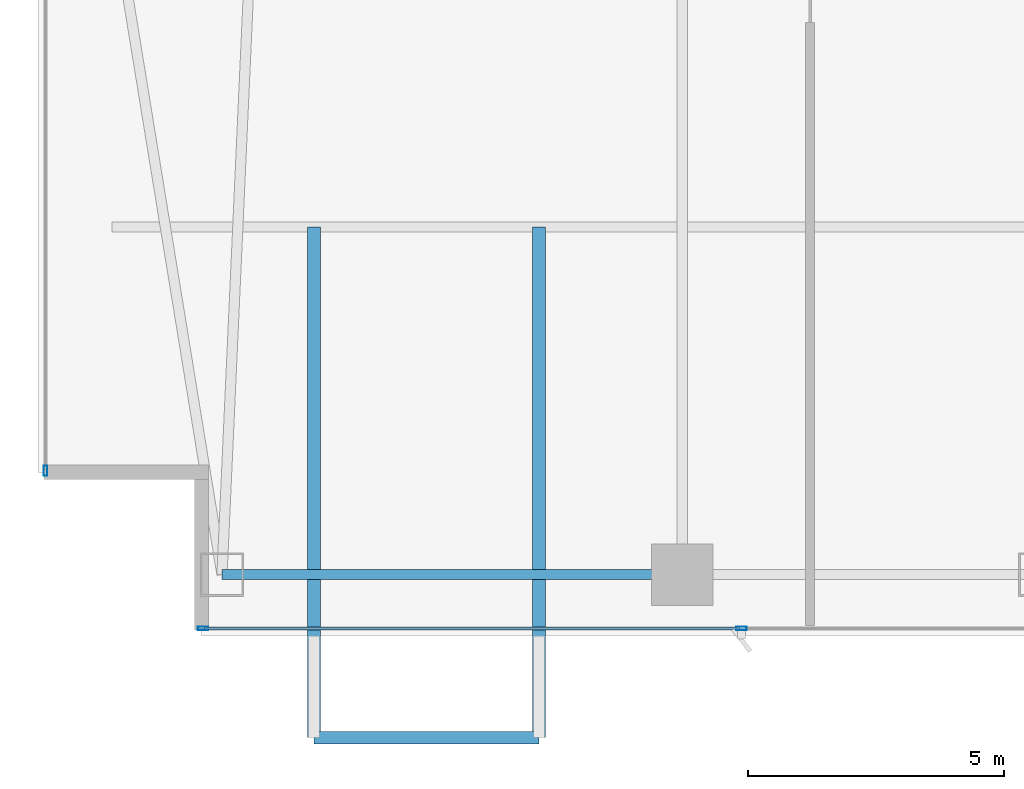
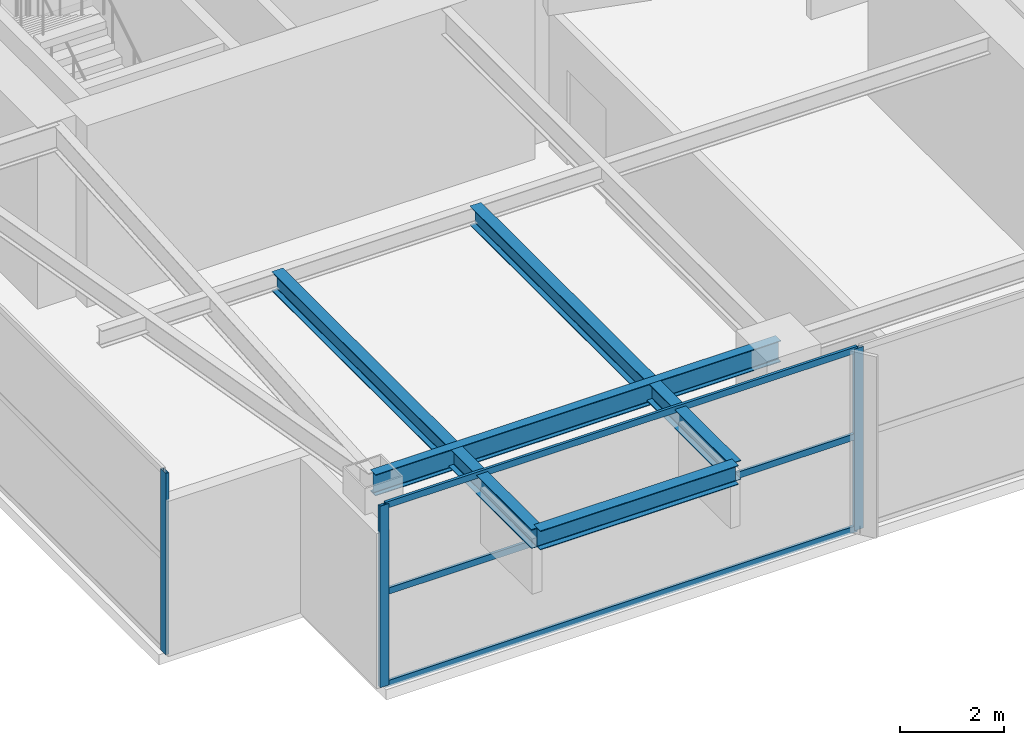
# One storey, part 2 of 26: 6 members, 4 beams, 2 elements without a shape of their own.
"""IFC4 building model written with IfcOpenShell, lengths in metres."""

from ifc_helpers import new_model, si_unit, direction, frame, origin, origin_2d, place, context, subcontext, project, spatial, hollow_rectangle, i_section, extrude, material, layer, layer_set, material_profile, profile_set, type_object, element, aggregate, save


model = new_model("IFC4")

# Units and contexts
model_context = context("Model", 3, precision=1e-05, world=origin(), true_north=direction((0.0, 1.0)))
body_context = subcontext(model_context, "Body", "Model", "MODEL_VIEW")
ifc_project = project(units=[si_unit("LENGTHUNIT", "METRE"), si_unit("AREAUNIT", "SQUARE_METRE"), si_unit("VOLUMEUNIT", "CUBIC_METRE"), si_unit("PLANEANGLEUNIT", "RADIAN"), si_unit("MASSUNIT", "GRAM", prefix="KILO")], contexts=[model_context])

# Site, building, storey
site_placement = place(None, origin())
site = spatial("IfcSite", under=ifc_project, at=site_placement, CompositionType="ELEMENT")
building_placement = place(site_placement, origin())
building = spatial("IfcBuilding", under=site, at=building_placement, Name="Calvorn Quay Hotel", CompositionType="ELEMENT")
storey_placement = place(building_placement, frame((0.0, 0.0, 144.0)))
storey = spatial("IfcBuildingStorey", under=building, at=storey_placement, Name="L35", CompositionType="ELEMENT", Elevation=144.0)

# Beams
ifc_material_1 = material(Name="Steel Q355B", Category="steel")
ifc_material_profile_1 = material_profile(ifc_material_1, i_section(OverallWidth=0.25, OverallDepth=0.449951171875, WebThickness=0.011962890625, FlangeThickness=0.01611328125, FilletRadius=0.01611328125, at=origin_2d()), Name="HN450x250x12x16")
ifc_profile_set_1 = profile_set([ifc_material_profile_1], Name="Steel Q355B")
beam_type_1 = type_object("IfcBeamType", Name="BM-CANT-BALC", PredefinedType="BEAM", material=ifc_profile_set_1)
for number, where, z_axis, x_axis, name in (
    (1, (5.39990234375, 10.39990234375, 4.014892578125), (0.0, -1.0, 0.0), (1.0, 0.0, 0.0), "Cantilever Balcony Beam BCB-L36-2A"),
    (2, (9.800048828125, 10.39990234375, 4.014892578125), (0.0, -1.0, 0.0), (1.0, 0.0, 0.0), "Cantilever Balcony Beam BCB-L36-2B"),
):
    element("IfcBeam", number, at=place(storey_placement, frame(where, z_axis=z_axis, x_axis=x_axis)), inside=storey, type_object=beam_type_1, Name=name, PredefinedType="BEAM", context=body_context, shape_type="SweptSolid", body=[
        extrude(i_section(OverallWidth=0.25, OverallDepth=0.449951171875, WebThickness=0.011962890625, FlangeThickness=0.01611328125, FilletRadius=0.01611328125, at=origin_2d()), origin(), (0.0, 0.0, 1.0), 9.989990234375),
    ])
beam_1_placement = place(storey_placement, frame((5.39990234375, 0.409912109375, 4.014892578125), z_axis=(1.0, 0.0, 0.0), x_axis=(0.0, 1.0, 0.0)))
element("IfcBeam", 3, at=beam_1_placement, inside=storey, type_object=beam_type_1, Name="Beam BCBO-L36-2", PredefinedType="BEAM", context=body_context, shape_type="SweptSolid", body=[
    extrude(i_section(OverallWidth=0.25, OverallDepth=0.449951171875, WebThickness=0.011962890625, FlangeThickness=0.01611328125, FilletRadius=0.01611328125, at=origin_2d()), origin(), (0.0, 0.0, 1.0), 4.400146484375),
])
ifc_material_2 = material(Name="Steel Q355B", Category="steel")
ifc_material_profile_2 = material_profile(ifc_material_2, i_section(OverallWidth=0.199951171875, OverallDepth=0.5, WebThickness=0.010009765625, FlangeThickness=0.01611328125, FilletRadius=0.01611328125, at=origin_2d()), Name="HN500x200x10x16")
ifc_profile_set_2 = profile_set([ifc_material_profile_2], Name="Steel Q355B")
beam_type_2 = type_object("IfcBeamType", Name="BM-SPANDREL-Z1", PredefinedType="SPANDREL", material=ifc_profile_set_2)
beam_2_placement = place(storey_placement, frame((3.60009765625, 3.60009765625, 3.989990234375), z_axis=(1.0, 0.0, 0.0), x_axis=(0.0, 1.0, 0.0)))
element("IfcBeam", 4, at=beam_2_placement, inside=storey, type_object=beam_type_2, Name="Beam BSP-L35-S1", PredefinedType="SPANDREL", context=body_context, shape_type="SweptSolid", body=[
    extrude(i_section(OverallWidth=0.199951171875, OverallDepth=0.5, WebThickness=0.010009765625, FlangeThickness=0.01611328125, FilletRadius=0.01611328125, at=origin_2d()), origin(), (0.0, 0.0, 1.0), 9.0),
])

# Curtain wall, member
ifc_material_3 = material(Name="Pale Anodised Aluminium and Low-E Glass", Category="aluminium")
ifc_layer = layer(ifc_material_3, 0.219970703125)
ifc_layer_set = layer_set([ifc_layer], Name="CW-SYS-Z2")
curtain_wall_type = type_object("IfcCurtainWallType", Name="CW-SYS-Z2", PredefinedType="NOTDEFINED", material=ifc_layer_set)
curtain_wall_1_placement = place(storey_placement, origin())
curtain_wall_1 = element("IfcCurtainWall", 5, at=curtain_wall_1_placement, inside=storey, type_object=curtain_wall_type, Name="Tower West Curtain Wall (L35)", PredefinedType="NOTDEFINED")
ifc_material_4 = material(Name="Pale Anodised Aluminium 6063-T6", Category="aluminium")
ifc_material_profile_3 = material_profile(ifc_material_4, hollow_rectangle(XDim=0.070068359375, YDim=0.199951171875, WallThickness=0.00390625, at=origin_2d()), Name="ALU-M200x70x4")
ifc_profile_set_3 = profile_set([ifc_material_profile_3], Name="Pale Anodised Aluminium 6063-T6")
member_type_1 = type_object("IfcMemberType", Name="CW-SYS-Z2-MUL", PredefinedType="MULLION", material=ifc_profile_set_3)
member_1_placement = place(storey_placement, frame((0.14990234375, 5.6298828125, 0.0), z_axis=(0.0, 0.0, 1.0), x_axis=(-1.0, 0.0, 0.0)))
member_1 = element("IfcMember", 6, at=member_1_placement, type_object=member_type_1, Name="CW-L35-W mullion 1", PredefinedType="MULLION", context=body_context, shape_type="SweptSolid", body=[
    extrude(hollow_rectangle(XDim=0.070068359375, YDim=0.199951171875, WallThickness=0.00390625, at=origin_2d()), origin(), (0.0, 0.0, 1.0), 4.260009765625),
])
aggregate(curtain_wall_1, [member_1])

# Curtain wall, members
curtain_wall_2_placement = place(storey_placement, origin())
curtain_wall_2 = element("IfcCurtainWall", 7, at=curtain_wall_2_placement, inside=storey, type_object=curtain_wall_type, Name="Tower South Waterfront Curtain Wall (L35)", PredefinedType="NOTDEFINED")
member_2_placement = place(storey_placement, frame((3.22998046875, 2.550048828125, 0.0), z_axis=(0.0, 0.0, 1.0), x_axis=(0.0, 1.0, 0.0)))
member_2 = element("IfcMember", 8, at=member_2_placement, type_object=member_type_1, Name="CW-L35-S mullion 1", PredefinedType="MULLION", context=body_context, shape_type="SweptSolid", body=[
    extrude(hollow_rectangle(XDim=0.070068359375, YDim=0.199951171875, WallThickness=0.00390625, at=origin_2d()), origin(), (0.0, 0.0, 1.0), 4.260009765625),
])
member_3_placement = place(storey_placement, frame((13.760009765625, 2.550048828125, 0.0), z_axis=(0.0, 0.0, 1.0), x_axis=(0.0, 1.0, 0.0)))
member_3 = element("IfcMember", 9, at=member_3_placement, type_object=member_type_1, Name="CW-L35-S mullion 2", PredefinedType="MULLION", context=body_context, shape_type="SweptSolid", body=[
    extrude(hollow_rectangle(XDim=0.070068359375, YDim=0.199951171875, WallThickness=0.00390625, at=origin_2d()), origin(), (0.0, 0.0, 1.0), 4.260009765625),
])
ifc_material_5 = material(Name="Pale Anodised Aluminium 6063-T6", Category="aluminium")
ifc_material_profile_4 = material_profile(ifc_material_5, hollow_rectangle(XDim=0.06005859375, YDim=0.14990234375, WallThickness=0.00341796875, at=origin_2d()), Name="ALU-T150x60x3.5")
ifc_profile_set_4 = profile_set([ifc_material_profile_4], Name="Pale Anodised Aluminium 6063-T6")
member_type_2 = type_object("IfcMemberType", Name="CW-SYS-Z2-TRN", PredefinedType="USERDEFINED", material=ifc_profile_set_4)
member_4_placement = place(storey_placement, frame((3.260009765625, 2.550048828125, 0.030029296875), z_axis=(1.0, 0.0, 0.0), x_axis=(0.0, 1.0, 0.0)))
member_4 = element("IfcMember", 10, at=member_4_placement, type_object=member_type_2, Name="CW-L35-S transom 1.1", ObjectType="TRANSOM", PredefinedType="USERDEFINED", context=body_context, shape_type="SweptSolid", body=[
    extrude(hollow_rectangle(XDim=0.06005859375, YDim=0.14990234375, WallThickness=0.00341796875, at=origin_2d()), origin(), (0.0, 0.0, 1.0), 10.469970703125),
])
member_5_placement = place(storey_placement, frame((3.260009765625, 2.550048828125, 2.199951171875), z_axis=(1.0, 0.0, 0.0), x_axis=(0.0, 1.0, 0.0)))
member_5 = element("IfcMember", 11, at=member_5_placement, type_object=member_type_2, Name="CW-L35-S transom 1.2", ObjectType="TRANSOM", PredefinedType="USERDEFINED", context=body_context, shape_type="SweptSolid", body=[
    extrude(hollow_rectangle(XDim=0.06005859375, YDim=0.14990234375, WallThickness=0.00341796875, at=origin_2d()), origin(), (0.0, 0.0, 1.0), 10.469970703125),
])
member_6_placement = place(storey_placement, frame((3.260009765625, 2.550048828125, 4.22998046875), z_axis=(1.0, 0.0, 0.0), x_axis=(0.0, 1.0, 0.0)))
member_6 = element("IfcMember", 12, at=member_6_placement, type_object=member_type_2, Name="CW-L35-S transom 1.3", ObjectType="TRANSOM", PredefinedType="USERDEFINED", context=body_context, shape_type="SweptSolid", body=[
    extrude(hollow_rectangle(XDim=0.06005859375, YDim=0.14990234375, WallThickness=0.00341796875, at=origin_2d()), origin(), (0.0, 0.0, 1.0), 10.469970703125),
])
aggregate(curtain_wall_2, [member_2, member_3, member_4, member_5, member_6])

save(model, "model.ifc")
